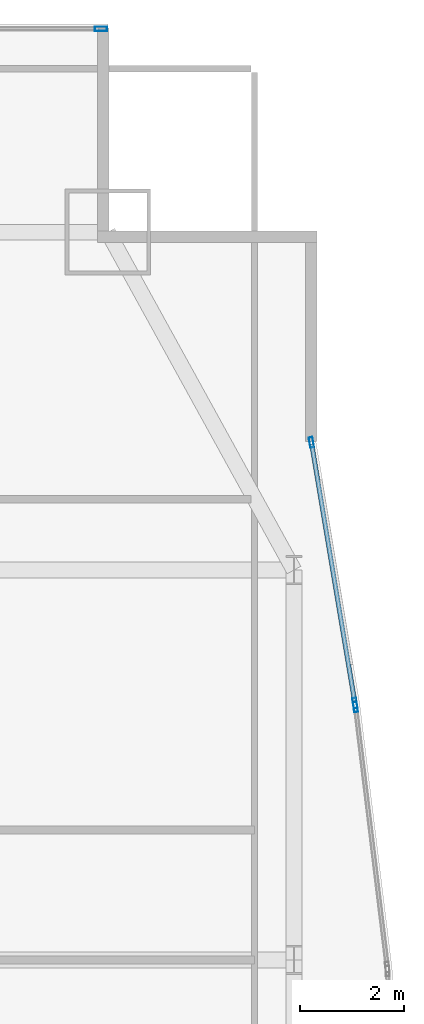
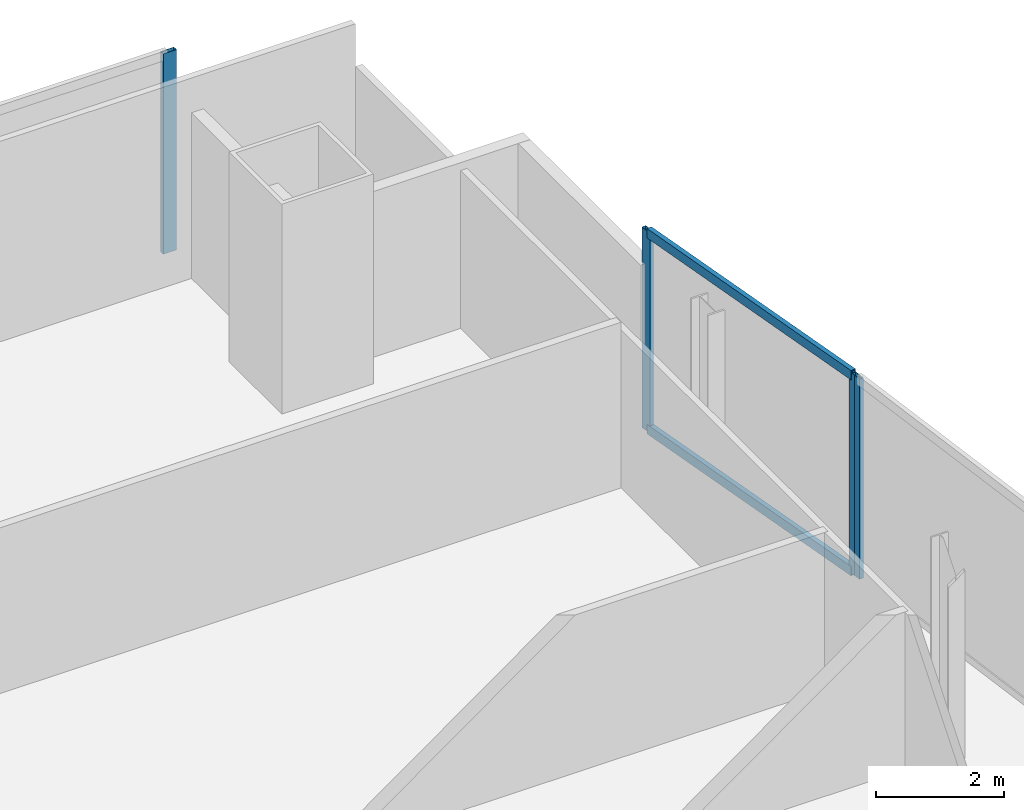
# One storey, part 24 of 32: 6 members, 3 elements without a shape of their own.
"""IFC4 building model written with IfcOpenShell, lengths in metres."""

from ifc_helpers import new_model, si_unit, direction, frame, origin, origin_2d, place, context, subcontext, project, spatial, hollow_rectangle, extrude, material, material_profile, profile_set, type_object, element, aggregate, save


model = new_model("IFC4")

# Units and contexts
model_context = context("Model", 3, precision=1e-05, world=origin(), true_north=direction((0.0, 1.0)))
body_context = subcontext(model_context, "Body", "Model", "MODEL_VIEW")
ifc_project = project(units=[si_unit("LENGTHUNIT", "METRE"), si_unit("AREAUNIT", "SQUARE_METRE"), si_unit("VOLUMEUNIT", "CUBIC_METRE"), si_unit("PLANEANGLEUNIT", "RADIAN"), si_unit("MASSUNIT", "GRAM", prefix="KILO")], contexts=[model_context])

# Site, building, storey
site_placement = place(None, origin())
site = spatial("IfcSite", under=ifc_project, at=site_placement, CompositionType="ELEMENT")
building_placement = place(site_placement, origin())
building = spatial("IfcBuilding", under=site, at=building_placement, Name="Khoronbel Lancet Exchange", CompositionType="ELEMENT")
storey_placement = place(building_placement, frame((0.0, 0.0, 41.800048828125)))
storey = spatial("IfcBuildingStorey", under=building, at=storey_placement, Name="L09", CompositionType="ELEMENT", Elevation=41.800048828125)

# Curtain wall, member
ifc_material_1 = material(Name="Low-E Solar Control Insulating Glass", Category="glass")
curtain_wall_type_1 = type_object("IfcCurtainWallType", Name="CW-1", PredefinedType="NOTDEFINED", material=ifc_material_1)
curtain_wall_1_placement = place(storey_placement, origin())
curtain_wall_1 = element("IfcCurtainWall", 1, at=curtain_wall_1_placement, inside=storey, type_object=curtain_wall_type_1, Name="Unitised curtain wall CW-L09-NEFLK", PredefinedType="NOTDEFINED")
ifc_material_2 = material(Name="Bronze-Anodised Aluminium 6063-T6", Category="aluminium")
ifc_material_profile_1 = material_profile(ifc_material_2, hollow_rectangle(XDim=0.0849609375, YDim=0.239990234375, WallThickness=0.006103515625, at=origin_2d()), Name="ALU MULLION 85x240")
ifc_profile_set_1 = profile_set([ifc_material_profile_1], Name="Bronze-Anodised Aluminium 6063-T6")
member_type_1 = type_object("IfcMemberType", Name="MEM-CWM1", PredefinedType="MULLION", material=ifc_profile_set_1)
member_1_placement = place(storey_placement, frame((67.91748046875, 53.610107421875, 0.0), z_axis=(0.0, 0.0, 1.0), x_axis=(0.0, -1.0, 0.0)))
member_1 = element("IfcMember", 2, at=member_1_placement, type_object=member_type_1, Name="CW1 mullion 1", PredefinedType="MULLION", context=body_context, shape_type="SweptSolid", body=[
    extrude(hollow_rectangle(XDim=0.0849609375, YDim=0.239990234375, WallThickness=0.006103515625, at=origin_2d()), origin(), (0.0, 0.0, 1.0), 3.820068359375),
])
aggregate(curtain_wall_1, [member_1])

# Curtain wall, members
curtain_wall_type_2 = type_object("IfcCurtainWallType", Name="CW-4", PredefinedType="NOTDEFINED", material=ifc_material_1)
curtain_wall_2_placement = place(storey_placement, origin())
curtain_wall_2 = element("IfcCurtainWall", 3, at=curtain_wall_2_placement, inside=storey, type_object=curtain_wall_type_2, Name="Unitised curtain wall CW-L09-E17", PredefinedType="NOTDEFINED")
ifc_material_profile_2 = material_profile(ifc_material_2, hollow_rectangle(XDim=0.074951171875, YDim=0.199951171875, WallThickness=0.0048828125, at=origin_2d()), Name="ALU MULLION 75x200")
ifc_profile_set_2 = profile_set([ifc_material_profile_2], Name="Bronze-Anodised Aluminium 6063-T6")
member_type_2 = type_object("IfcMemberType", Name="MEM-CWM2", PredefinedType="MULLION", material=ifc_profile_set_2)
member_2_placement = place(storey_placement, frame((71.966064453125, 45.655517578125, 0.0), z_axis=(0.0, 0.0, 1.0), x_axis=(0.986359850865, 0.164603294624, 0.0)))
member_2 = element("IfcMember", 4, at=member_2_placement, type_object=member_type_2, Name="CW4 mullion 1", PredefinedType="MULLION", context=body_context, shape_type="SweptSolid", body=[
    extrude(hollow_rectangle(XDim=0.074951171875, YDim=0.199951171875, WallThickness=0.0048828125, at=origin_2d()), origin(), (0.0, 0.0, 1.0), 3.820068359375),
])
member_3_placement = place(storey_placement, frame((72.802978515625, 40.640869140625, 0.0), z_axis=(0.0, 0.0, 1.0), x_axis=(0.986359850865, 0.164603294624, 0.0)))
member_3 = element("IfcMember", 5, at=member_3_placement, type_object=member_type_2, Name="CW4 mullion 2", PredefinedType="MULLION", context=body_context, shape_type="SweptSolid", body=[
    extrude(hollow_rectangle(XDim=0.074951171875, YDim=0.199951171875, WallThickness=0.0048828125, at=origin_2d()), origin(), (0.0, 0.0, 1.0), 3.820068359375),
])

# Curtain wall, member
curtain_wall_3_placement = place(storey_placement, origin())
curtain_wall_3 = element("IfcCurtainWall", 6, at=curtain_wall_3_placement, inside=storey, type_object=curtain_wall_type_2, Name="Unitised curtain wall CW-L09-E18", PredefinedType="NOTDEFINED")
member_4_placement = place(storey_placement, frame((72.813720703125, 40.566650390625, 0.0), z_axis=(0.0, 0.0, 1.0), x_axis=(0.992621623813, 0.121253090432, 0.0)))
member_4 = element("IfcMember", 7, at=member_4_placement, type_object=member_type_2, Name="CW4 mullion 1", PredefinedType="MULLION", context=body_context, shape_type="SweptSolid", body=[
    extrude(hollow_rectangle(XDim=0.074951171875, YDim=0.199951171875, WallThickness=0.0048828125, at=origin_2d()), origin(), (0.0, 0.0, 1.0), 3.820068359375),
])
aggregate(curtain_wall_3, [member_4])

# Member
ifc_material_profile_3 = material_profile(ifc_material_2, hollow_rectangle(XDim=0.0849609375, YDim=0.179931640625, WallThickness=0.0048828125, at=origin_2d()), Name="ALU TRANSOM 85x180")
ifc_profile_set_3 = profile_set([ifc_material_profile_3], Name="Bronze-Anodised Aluminium 6063-T6")
member_type_3 = type_object("IfcMemberType", Name="MEM-CWT1", PredefinedType="USERDEFINED", material=ifc_profile_set_3)
member_5_placement = place(storey_placement, frame((71.972412109375, 45.618408203125, 0.04248046875), z_axis=(0.164596580523, -0.986360971288, 0.0), x_axis=(0.986360971288, 0.164596580523, 0.0)))
member_5 = element("IfcMember", 8, at=member_5_placement, type_object=member_type_3, Name="CW4 transom 1.1", ObjectType="TRANSOM", PredefinedType="USERDEFINED", context=body_context, shape_type="SweptSolid", body=[
    extrude(hollow_rectangle(XDim=0.0849609375, YDim=0.179931640625, WallThickness=0.0048828125, at=origin_2d()), origin(), (0.0, 0.0, 1.0), 5.009033203125),
])

member_6_placement = place(storey_placement, frame((71.972412109375, 45.618408203125, 3.77734375), z_axis=(0.164596580523, -0.986360971288, 0.0), x_axis=(0.986360971288, 0.164596580523, 0.0)))
member_6 = element("IfcMember", 9, at=member_6_placement, type_object=member_type_3, Name="CW4 transom 1.2", ObjectType="TRANSOM", PredefinedType="USERDEFINED", context=body_context, shape_type="SweptSolid", body=[
    extrude(hollow_rectangle(XDim=0.0849609375, YDim=0.179931640625, WallThickness=0.0048828125, at=origin_2d()), origin(), (0.0, 0.0, 1.0), 5.009033203125),
])

aggregate(curtain_wall_2, [member_2, member_3, member_5, member_6])

save(model, "model.ifc")
